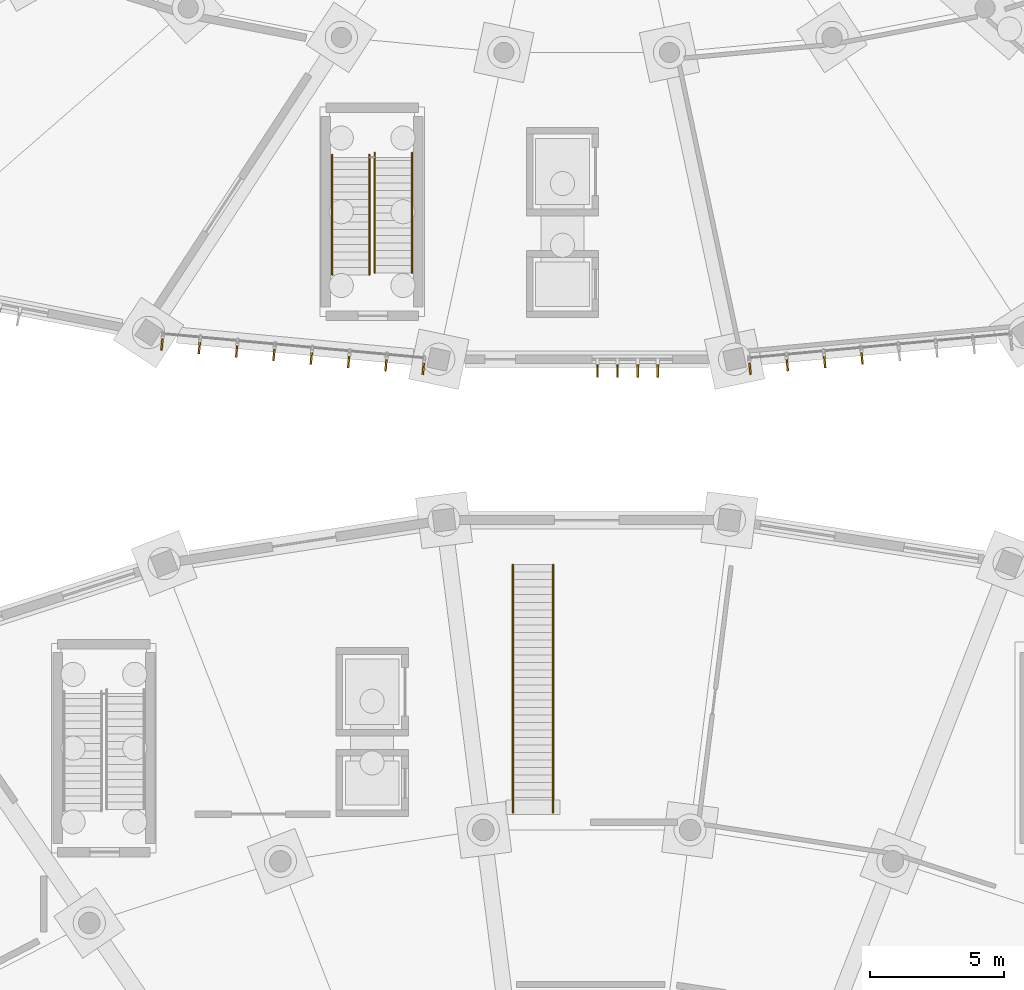
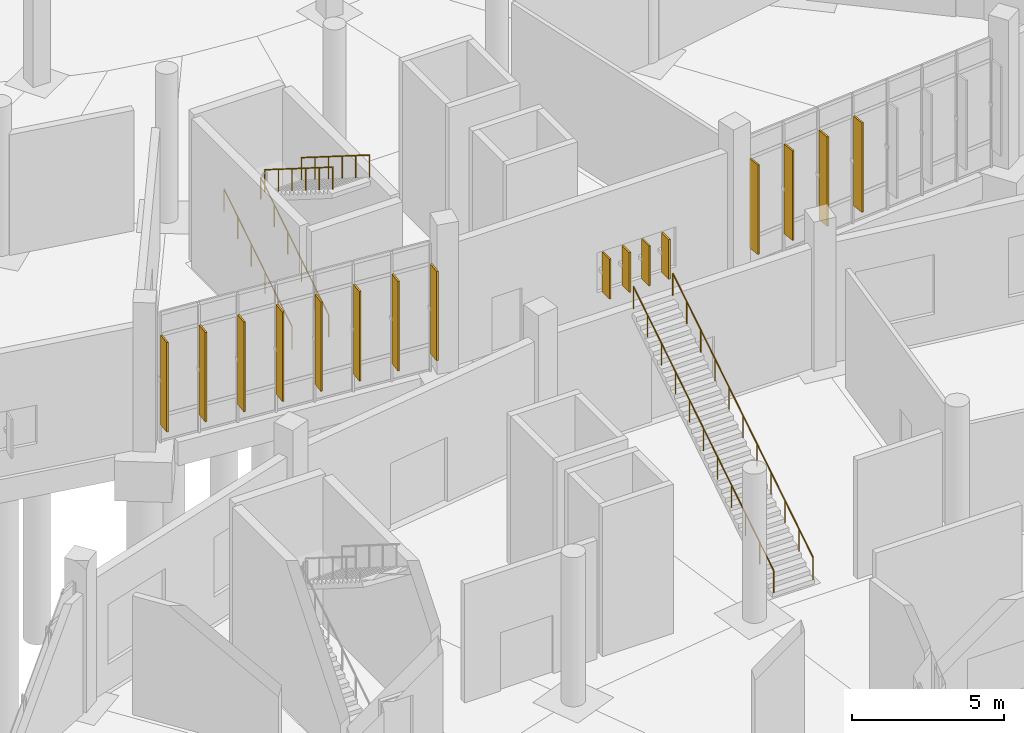
# One storey, part 119 of 140: 16 shading devices, 6 railings.
"""IFC4 building model written with IfcOpenShell, lengths in metres."""

from ifc_helpers import new_model, si_unit, direction, frame, origin, origin_2d, place, context, subcontext, project, spatial, rectangle, circle, extrude, material, layer, layer_set, type_object, element, save


model = new_model("IFC4")

# Units and contexts
model_context = context("Model", 3, precision=1e-05, world=origin(), true_north=direction((0.0, 1.0)))
body_context = subcontext(model_context, "Body", "Model", "MODEL_VIEW")
ifc_project = project(units=[si_unit("LENGTHUNIT", "METRE"), si_unit("AREAUNIT", "SQUARE_METRE"), si_unit("VOLUMEUNIT", "CUBIC_METRE"), si_unit("PLANEANGLEUNIT", "RADIAN"), si_unit("MASSUNIT", "GRAM", prefix="KILO")], contexts=[model_context])

# Site, building, storey
site_placement = place(None, origin())
site = spatial("IfcSite", under=ifc_project, at=site_placement, CompositionType="ELEMENT")
building_placement = place(site_placement, origin())
building = spatial("IfcBuilding", under=site, at=building_placement, Name="Corvandel Quay Wholesale Market", CompositionType="ELEMENT")
storey_placement = place(building_placement, origin())
storey = spatial("IfcBuildingStorey", under=building, at=storey_placement, Name="L00", CompositionType="ELEMENT", Elevation=0.0)

# Railings
ifc_material_1 = material(Name="Brushed austenitic stainless steel Grade 316", Category="steel")
ifc_layer = layer(ifc_material_1, 0.048095703125)
ifc_layer_set = layer_set([ifc_layer], Name="Brushed austenitic stainless steel Grade 316")
railing_type = type_object("IfcRailingType", Name="Tubular Stainless Stair Handrail HR01 915mm", PredefinedType="HANDRAIL", material=ifc_layer_set)
for number, where, name in (
    (1, (104.510009765625, 93.14990234375, 0.176513671875), "Stair Handrail 0046"),
    (2, (105.89990234375, 93.14990234375, 0.176513671875), "Stair Handrail 0047"),
):
    element("IfcRailing", number, at=place(storey_placement, frame(where)), inside=storey, type_object=railing_type, Name=name, PredefinedType="HANDRAIL", context=body_context, shape_type="SweptSolid", body=[
        extrude(circle(Radius=0.02392578125, at=origin_2d()), frame((0.0, 0.0, 0.89111328125), z_axis=(0.0, 0.845997938375, 0.533186166611), x_axis=(-1.0, 0.0, 0.0)), (0.0, 0.0, 1.0), 5.29541015625),
        extrude(circle(Radius=0.02099609375, at=origin_2d()), origin(), (0.0, 0.0, 1.0), 0.866943359375),
        extrude(circle(Radius=0.02099609375, at=origin_2d()), frame((0.0, 0.89599609375, 0.564697265625)), (0.0, 0.0, 1.0), 0.866943359375),
        extrude(circle(Radius=0.02099609375, at=origin_2d()), frame((0.0, 1.7919921875, 1.12939453125)), (0.0, 0.0, 1.0), 0.866943359375),
        extrude(circle(Radius=0.02099609375, at=origin_2d()), frame((0.0, 2.68798828125, 1.694091796875)), (0.0, 0.0, 1.0), 0.866943359375),
        extrude(circle(Radius=0.02099609375, at=origin_2d()), frame((0.0, 3.583984375, 2.2587890625)), (0.0, 0.0, 1.0), 0.866943359375),
        extrude(circle(Radius=0.02099609375, at=origin_2d()), frame((0.0, 4.47998046875, 2.823486328125)), (0.0, 0.0, 1.0), 0.866943359375),
    ])
for number, where, name in (
    (3, (106.10009765625, 97.699951171875, 3.176513671875), "Stair Handrail 0048"),
    (4, (107.489990234375, 97.699951171875, 3.176513671875), "Stair Handrail 0049"),
):
    element("IfcRailing", number, at=place(storey_placement, frame(where)), inside=storey, type_object=railing_type, Name=name, PredefinedType="HANDRAIL", context=body_context, shape_type="SweptSolid", body=[
        extrude(circle(Radius=0.02392578125, at=origin_2d()), frame((0.0, 0.0, 0.89111328125), z_axis=(0.0, -0.845997938375, 0.533186166611), x_axis=(1.0, 0.0, 0.0)), (0.0, 0.0, 1.0), 5.29541015625),
        extrude(circle(Radius=0.02099609375, at=origin_2d()), origin(), (0.0, 0.0, 1.0), 0.866943359375),
        extrude(circle(Radius=0.02099609375, at=origin_2d()), frame((0.0, -0.89599609375, 0.564697265625)), (0.0, 0.0, 1.0), 0.866943359375),
        extrude(circle(Radius=0.02099609375, at=origin_2d()), frame((0.0, -1.7919921875, 1.12939453125)), (0.0, 0.0, 1.0), 0.866943359375),
        extrude(circle(Radius=0.02099609375, at=origin_2d()), frame((0.0, -2.68798828125, 1.694091796875)), (0.0, 0.0, 1.0), 0.866943359375),
        extrude(circle(Radius=0.02099609375, at=origin_2d()), frame((0.0, -3.583984375, 2.2587890625)), (0.0, 0.0, 1.0), 0.866943359375),
        extrude(circle(Radius=0.02099609375, at=origin_2d()), frame((0.0, -4.47998046875, 2.823486328125)), (0.0, 0.0, 1.0), 0.866943359375),
    ])
for number, where, name in (
    (5, (111.25, 73.10009765625, 0.176513671875), "Feature Stair Handrail 0221"),
    (6, (112.75, 73.10009765625, 0.176513671875), "Feature Stair Handrail 0222"),
):
    element("IfcRailing", number, at=place(storey_placement, frame(where)), inside=storey, type_object=railing_type, Name=name, PredefinedType="HANDRAIL", context=body_context, shape_type="SweptSolid", body=[
        extrude(circle(Radius=0.02392578125, at=origin_2d()), frame((0.0, 0.0, 0.89111328125), z_axis=(0.0, 0.845996842167, 0.533187905943), x_axis=(-1.0, 0.0, 0.0)), (0.0, 0.0, 1.0), 10.922119140625),
        extrude(circle(Radius=0.02099609375, at=origin_2d()), origin(), (0.0, 0.0, 1.0), 0.866943359375),
        extrude(circle(Radius=0.02099609375, at=origin_2d()), frame((0.0, 0.924072265625, 0.582275390625)), (0.0, 0.0, 1.0), 0.866943359375),
        extrude(circle(Radius=0.02099609375, at=origin_2d()), frame((0.0, 1.847900390625, 1.164794921875)), (0.0, 0.0, 1.0), 0.866943359375),
        extrude(circle(Radius=0.02099609375, at=origin_2d()), frame((0.0, 2.77197265625, 1.7470703125)), (0.0, 0.0, 1.0), 0.866943359375),
        extrude(circle(Radius=0.02099609375, at=origin_2d()), frame((0.0, 3.696044921875, 2.329345703125)), (0.0, 0.0, 1.0), 0.866943359375),
        extrude(circle(Radius=0.02099609375, at=origin_2d()), frame((0.0, 4.6201171875, 2.91162109375)), (0.0, 0.0, 1.0), 0.866943359375),
        extrude(circle(Radius=0.02099609375, at=origin_2d()), frame((0.0, 5.5439453125, 3.494140625)), (0.0, 0.0, 1.0), 0.866943359375),
        extrude(circle(Radius=0.02099609375, at=origin_2d()), frame((0.0, 6.468017578125, 4.076416015625)), (0.0, 0.0, 1.0), 0.866943359375),
        extrude(circle(Radius=0.02099609375, at=origin_2d()), frame((0.0, 7.39208984375, 4.65869140625)), (0.0, 0.0, 1.0), 0.866943359375),
        extrude(circle(Radius=0.02099609375, at=origin_2d()), frame((0.0, 8.31591796875, 5.2412109375)), (0.0, 0.0, 1.0), 0.866943359375),
        extrude(circle(Radius=0.02099609375, at=origin_2d()), frame((0.0, 9.239990234375, 5.823486328125)), (0.0, 0.0, 1.0), 0.866943359375),
    ])

# Shading devices
ifc_material_2 = material(Name="Bronze anodised extruded aluminium 6063-T6", Category="aluminium")
shading_device_type = type_object("IfcShadingDeviceType", Name="Vertical Anodised Bronze Solar Fin FN01 480mm", PredefinedType="JALOUSIE", material=ifc_material_2)
for number, where, z_axis, x_axis, name in (
    (7, (98.167724609375, 90.57080078125, 0.77490234375), (0.0, 0.0, 1.0), (0.092023008338, 0.995756880939, 0.0), "Solar Fin 0330"),
    (8, (99.559814453125, 90.4423828125, 0.77490234375), (0.0, 0.0, 1.0), (0.092023008338, 0.995756880939, 0.0), "Solar Fin 0331"),
    (9, (100.95166015625, 90.31396484375, 0.77490234375), (0.0, 0.0, 1.0), (0.092023008338, 0.995756880939, 0.0), "Solar Fin 0332"),
    (10, (102.343505859375, 90.185302734375, 0.77490234375), (0.0, 0.0, 1.0), (0.092023008338, 0.995756880939, 0.0), "Solar Fin 0333"),
    (11, (103.735595703125, 90.056884765625, 0.77490234375), (0.0, 0.0, 1.0), (0.092023008338, 0.995756880939, 0.0), "Solar Fin 0334"),
    (12, (105.12744140625, 89.92822265625, 0.77490234375), (0.0, 0.0, 1.0), (0.092023008338, 0.995756880939, 0.0), "Solar Fin 0335"),
    (13, (106.519287109375, 89.7998046875, 0.77490234375), (0.0, 0.0, 1.0), (0.092023008338, 0.995756880939, 0.0), "Solar Fin 0336"),
    (14, (107.911376953125, 89.67138671875, 0.77490234375), (0.0, 0.0, 1.0), (0.092023008338, 0.995756880939, 0.0), "Solar Fin 0337"),
):
    element("IfcShadingDevice", number, at=place(storey_placement, frame(where, z_axis=z_axis, x_axis=x_axis)), inside=storey, type_object=shading_device_type, Name=name, PredefinedType="JALOUSIE", context=body_context, shape_type="SweptSolid", body=[
        extrude(rectangle(XDim=0.47998046875, YDim=0.06494140625, at=origin_2d()), origin(), (0.0, 0.0, 1.0), 3.60009765625),
    ])
for number, where, z_axis, x_axis, name in (
    (15, (114.404052734375, 89.56005859375, 1.050048828125), (0.0, 0.0, 1.0), (0.0, 1.0, 0.0), "Solar Fin 0348"),
    (16, (115.154052734375, 89.56005859375, 1.050048828125), (0.0, 0.0, 1.0), (0.0, 1.0, 0.0), "Solar Fin 0349"),
    (17, (115.904052734375, 89.56005859375, 1.050048828125), (0.0, 0.0, 1.0), (0.0, 1.0, 0.0), "Solar Fin 0350"),
    (18, (116.654052734375, 89.56005859375, 1.050048828125), (0.0, 0.0, 1.0), (0.0, 1.0, 0.0), "Solar Fin 0351"),
):
    element("IfcShadingDevice", number, at=place(storey_placement, frame(where, z_axis=z_axis, x_axis=x_axis)), inside=storey, type_object=shading_device_type, Name=name, PredefinedType="JALOUSIE", context=body_context, shape_type="SweptSolid", body=[
        extrude(rectangle(XDim=0.47998046875, YDim=0.06494140625, at=origin_2d()), origin(), (0.0, 0.0, 1.0), 1.60009765625),
    ])
for number, where, z_axis, x_axis, name in (
    (19, (120.088623046875, 89.67138671875, 0.77490234375), (0.0, 0.0, 1.0), (-0.092023008338, 0.995756880939, 0.0), "Solar Fin 0352"),
    (20, (121.480712890625, 89.7998046875, 0.77490234375), (0.0, 0.0, 1.0), (-0.092023008338, 0.995756880939, 0.0), "Solar Fin 0353"),
    (21, (122.87255859375, 89.92822265625, 0.77490234375), (0.0, 0.0, 1.0), (-0.092023008338, 0.995756880939, 0.0), "Solar Fin 0354"),
    (22, (124.264404296875, 90.056884765625, 0.77490234375), (0.0, 0.0, 1.0), (-0.092023008338, 0.995756880939, 0.0), "Solar Fin 0355"),
):
    element("IfcShadingDevice", number, at=place(storey_placement, frame(where, z_axis=z_axis, x_axis=x_axis)), inside=storey, type_object=shading_device_type, Name=name, PredefinedType="JALOUSIE", context=body_context, shape_type="SweptSolid", body=[
        extrude(rectangle(XDim=0.47998046875, YDim=0.06494140625, at=origin_2d()), origin(), (0.0, 0.0, 1.0), 3.60009765625),
    ])

save(model, "model.ifc")
